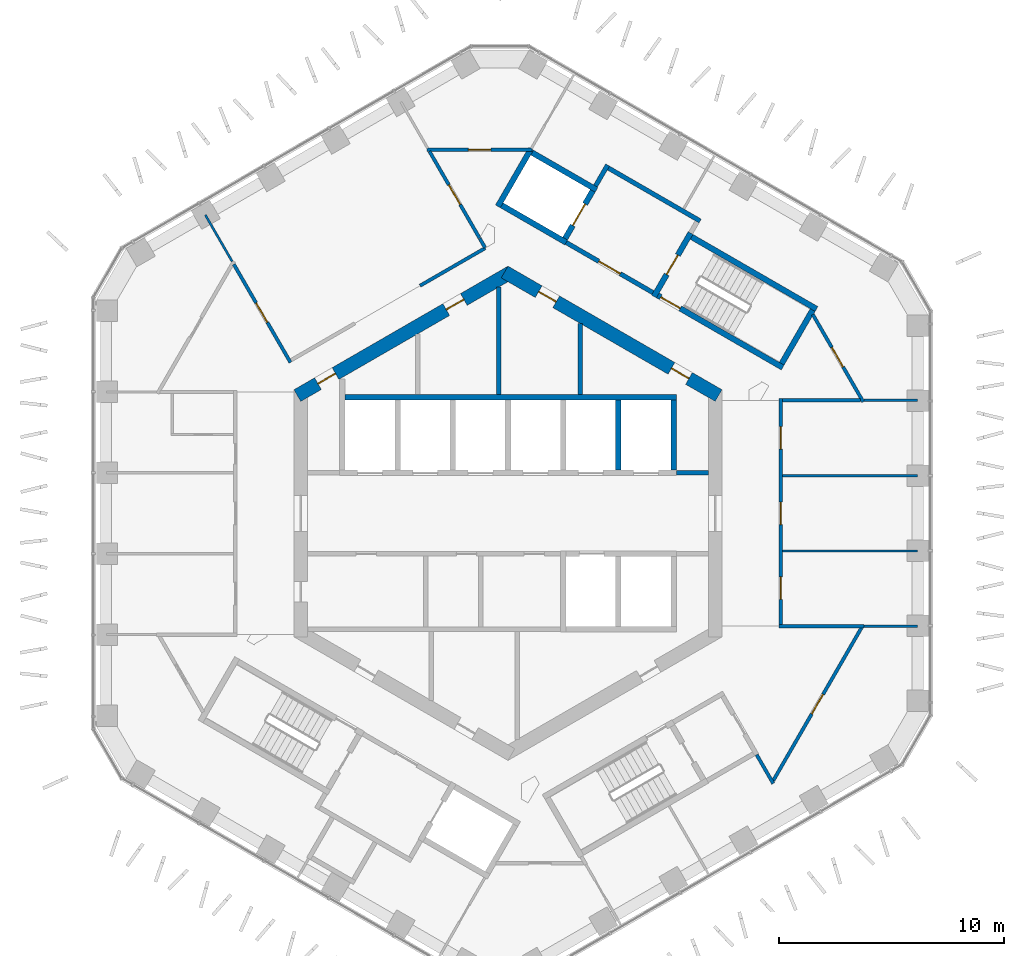
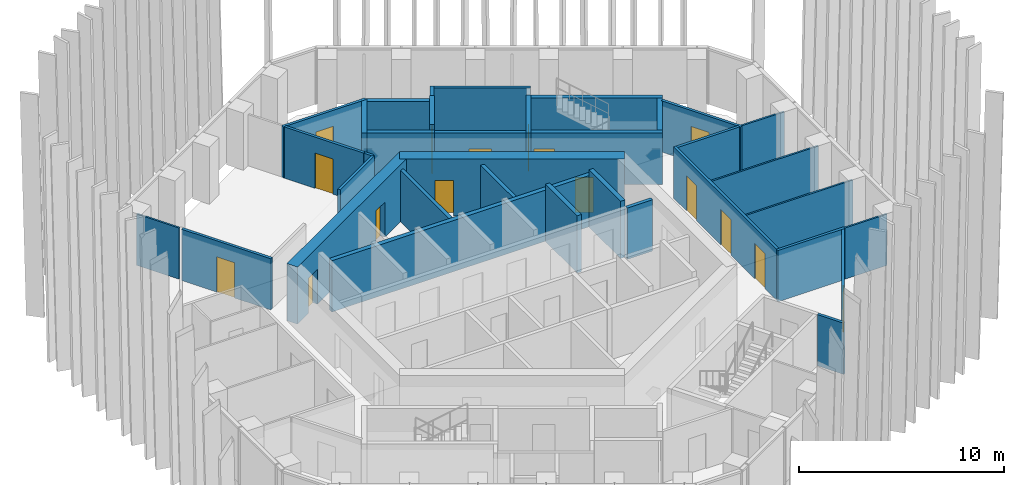
# One storey, part 15 of 21: 35 walls, 16 doors, 16 openings.
"""IFC4 building model written with IfcOpenShell, lengths in metres."""

from ifc_helpers import new_model, si_unit, direction, frame, frame_2d, origin, place, context, subcontext, project, spatial, rectangle, extrude, material, layer, layer_set, type_object, element, fill, save


model = new_model("IFC4")

# Units and contexts
model_context = context("Model", 3, precision=1e-05, world=origin(), true_north=direction((0.0, 1.0)))
body_context = subcontext(model_context, "Body", "Model", "MODEL_VIEW")
ifc_project = project(units=[si_unit("LENGTHUNIT", "METRE"), si_unit("AREAUNIT", "SQUARE_METRE"), si_unit("VOLUMEUNIT", "CUBIC_METRE"), si_unit("PLANEANGLEUNIT", "RADIAN"), si_unit("MASSUNIT", "GRAM", prefix="KILO")], contexts=[model_context])

# Site, building, storey
site_placement = place(None, origin())
site = spatial("IfcSite", under=ifc_project, at=site_placement, CompositionType="ELEMENT")
building_placement = place(site_placement, origin())
building = spatial("IfcBuilding", under=site, at=building_placement, Name="Ayvan Gate Tower", CompositionType="ELEMENT")
storey_placement = place(building_placement, frame((0.0, 0.0, 173.10009765625)))
storey = spatial("IfcBuildingStorey", under=building, at=storey_placement, Name="L46", CompositionType="ELEMENT", Elevation=173.10009765625)

# Wall, openings, doors
ifc_material_1 = material(Name="Concrete C60/75", Category="concrete")
ifc_layer_1 = layer(ifc_material_1, 0.60009765625)
ifc_layer_set_1 = layer_set([ifc_layer_1], Name="Concrete C60/75")
wall_type_1 = type_object("IfcWallType", Name="Core wall 600 C60/75", PredefinedType="SHEAR", material=ifc_layer_set_1)
wall_1_placement = place(storey_placement, frame((9.35009765625, 5.22509765625, 0.0), z_axis=(0.0, 0.0, 1.0), x_axis=(-0.866023993627, 0.500002442456, 0.0)))
wall_1 = element("IfcWall", 1, at=wall_1_placement, inside=storey, type_object=wall_type_1, Name="CORE-L46-1", PredefinedType="SHEAR", context=body_context, shape_type="SweptSolid", body=[
    extrude(rectangle(XDim=10.9697265625, YDim=0.60009765625, at=frame_2d((5.48486328125, 0.0))), origin(), (0.0, 0.0, 1.0), 3.39990234375),
])
opening_1_placement = place(wall_1_placement, frame((8.3251953125, 0.0, 0.0)))
opening_1 = element("IfcOpeningElement", 2, at=opening_1_placement, cuts=wall_1, Name="Opening L46-D42", PredefinedType="OPENING", context=body_context, shape_type="SweptSolid", body=[
    extrude(rectangle(XDim=0.89990234375, YDim=2.10009765625, at=frame_2d((0.449951171875, 1.050048828125))), frame((0.0, 0.31005859375, 0.0), z_axis=(0.0, -1.0, 0.0), x_axis=(1.0, 0.0, 0.0)), (0.0, 0.0, 1.0), 0.6201171875),
])
opening_2_placement = place(wall_1_placement, frame((1.518310546875, 0.0, 0.0)))
opening_2 = element("IfcOpeningElement", 3, at=opening_2_placement, cuts=wall_1, Name="Opening L46-D43", PredefinedType="OPENING", context=body_context, shape_type="SweptSolid", body=[
    extrude(rectangle(XDim=0.89990234375, YDim=2.10009765625, at=frame_2d((0.449951171875, 1.050048828125))), frame((0.0, 0.31005859375, 0.0), z_axis=(0.0, -1.0, 0.0), x_axis=(1.0, 0.0, 0.0)), (0.0, 0.0, 1.0), 0.6201171875),
])
ifc_material_2 = material(Name="Timber door leaf", Category="wood")
door_type_1 = type_object("IfcDoorType", Name="DT-900", OperationType="NOTDEFINED", PredefinedType="DOOR", material=ifc_material_2)
door_1_placement = place(opening_1_placement, origin())
door_1 = element("IfcDoor", 4, at=door_1_placement, inside=storey, type_object=door_type_1, Name="CD-L46-42", OperationType="SINGLE_SWING_RIGHT", OverallHeight=2.10009765625, OverallWidth=0.89990234375, PredefinedType="DOOR", context=body_context, shape_type="SweptSolid", body=[
    extrude(rectangle(XDim=0.89990234375, YDim=2.10009765625, at=frame_2d((0.449951171875, 1.050048828125))), frame((0.0, 0.02490234375, 0.0), z_axis=(0.0, -1.0, 0.0), x_axis=(1.0, 0.0, 0.0)), (0.0, 0.0, 1.0), 0.050048828125),
])
fill(opening_1, door_1)
door_2_placement = place(opening_2_placement, origin())
door_2 = element("IfcDoor", 5, at=door_2_placement, inside=storey, type_object=door_type_1, Name="CD-L46-43", OperationType="SINGLE_SWING_LEFT", OverallHeight=2.10009765625, OverallWidth=0.89990234375, PredefinedType="DOOR", context=body_context, shape_type="SweptSolid", body=[
    extrude(rectangle(XDim=0.89990234375, YDim=2.10009765625, at=frame_2d((0.449951171875, 1.050048828125))), frame((0.0, 0.02490234375, 0.0), z_axis=(0.0, -1.0, 0.0), x_axis=(1.0, 0.0, 0.0)), (0.0, 0.0, 1.0), 0.050048828125),
])
fill(opening_2, door_2)

wall_2_placement = place(storey_placement, frame((0.14990234375, 10.7099609375, 0.0), z_axis=(0.0, 0.0, 1.0), x_axis=(-0.866023993627, -0.500002442456, 0.0)))
wall_2 = element("IfcWall", 6, at=wall_2_placement, inside=storey, type_object=wall_type_1, Name="CORE-L46-2", PredefinedType="SHEAR", context=body_context, shape_type="SweptSolid", body=[
    extrude(rectangle(XDim=10.9697265625, YDim=0.60009765625, at=frame_2d((5.48486328125, 0.0))), origin(), (0.0, 0.0, 1.0), 3.39990234375),
])
opening_3_placement = place(wall_2_placement, frame((9.013427734375, 0.0, 0.0)))
opening_3 = element("IfcOpeningElement", 7, at=opening_3_placement, cuts=wall_2, Name="Opening L46-D40", PredefinedType="OPENING", context=body_context, shape_type="SweptSolid", body=[
    extrude(rectangle(XDim=0.89990234375, YDim=2.10009765625, at=frame_2d((0.449951171875, 1.050048828125))), frame((0.0, 0.31005859375, 0.0), z_axis=(0.0, -1.0, 0.0), x_axis=(1.0, 0.0, 0.0)), (0.0, 0.0, 1.0), 0.6201171875),
])
opening_4_placement = place(wall_2_placement, frame((2.437255859375, 0.0, 0.0)))
opening_4 = element("IfcOpeningElement", 8, at=opening_4_placement, cuts=wall_2, Name="Opening L46-D41", PredefinedType="OPENING", context=body_context, shape_type="SweptSolid", body=[
    extrude(rectangle(XDim=0.89990234375, YDim=2.10009765625, at=frame_2d((0.449951171875, 1.050048828125))), frame((0.0, 0.31005859375, 0.0), z_axis=(0.0, -1.0, 0.0), x_axis=(1.0, 0.0, 0.0)), (0.0, 0.0, 1.0), 0.6201171875),
])
door_3_placement = place(opening_3_placement, origin())
door_3 = element("IfcDoor", 9, at=door_3_placement, inside=storey, type_object=door_type_1, Name="CD-L46-40", OperationType="SINGLE_SWING_RIGHT", OverallHeight=2.10009765625, OverallWidth=0.89990234375, PredefinedType="DOOR", context=body_context, shape_type="SweptSolid", body=[
    extrude(rectangle(XDim=0.89990234375, YDim=2.10009765625, at=frame_2d((0.449951171875, 1.050048828125))), frame((0.0, 0.02490234375, 0.0), z_axis=(0.0, -1.0, 0.0), x_axis=(1.0, 0.0, 0.0)), (0.0, 0.0, 1.0), 0.050048828125),
])
fill(opening_3, door_3)
door_4_placement = place(opening_4_placement, origin())
door_4 = element("IfcDoor", 10, at=door_4_placement, inside=storey, type_object=door_type_1, Name="CD-L46-41", OperationType="SINGLE_SWING_LEFT", OverallHeight=2.10009765625, OverallWidth=0.89990234375, PredefinedType="DOOR", context=body_context, shape_type="SweptSolid", body=[
    extrude(rectangle(XDim=0.89990234375, YDim=2.10009765625, at=frame_2d((0.449951171875, 1.050048828125))), frame((0.0, 0.02490234375, 0.0), z_axis=(0.0, -1.0, 0.0), x_axis=(1.0, 0.0, 0.0)), (0.0, 0.0, 1.0), 0.050048828125),
])
fill(opening_4, door_4)

# Wall, opening, door
ifc_material_3 = material(Name="Plasterboard on steel stud", Category="steel")
ifc_layer_2 = layer(ifc_material_3, 0.14990234375)
ifc_layer_set_2 = layer_set([ifc_layer_2], Name="Plasterboard on steel stud")
wall_type_2 = type_object("IfcWallType", Name="WT-CORR-150", PredefinedType="PARTITIONING", material=ifc_layer_set_2)
wall_3_placement = place(storey_placement, frame((-12.170166015625, 11.05126953125, 0.0), z_axis=(0.0, 0.0, 1.0), x_axis=(0.500006713398, -0.866021527768, 0.0)))
wall_3 = element("IfcWall", 11, at=wall_3_placement, inside=storey, type_object=wall_type_2, Name="IW-L46-009", PredefinedType="PARTITIONING", context=body_context, shape_type="SweptSolid", body=[
    extrude(rectangle(XDim=5.03076171875, YDim=0.14990234375, at=frame_2d((2.515380859375, 0.0))), origin(), (0.0, 0.0, 1.0), 3.0498046875),
])
opening_5_placement = place(wall_3_placement, frame((1.977783203125, 0.0, 0.0)))
opening_5 = element("IfcOpeningElement", 12, at=opening_5_placement, cuts=wall_3, Name="Opening L46-D39", PredefinedType="OPENING", context=body_context, shape_type="SweptSolid", body=[
    extrude(rectangle(XDim=1.0, YDim=2.10009765625, at=frame_2d((0.5, 1.050048828125))), frame((0.0, 0.0849609375, 0.0), z_axis=(0.0, -1.0, 0.0), x_axis=(1.0, 0.0, 0.0)), (0.0, 0.0, 1.0), 0.169921875),
])
door_type_2 = type_object("IfcDoorType", Name="DT-1000", OperationType="NOTDEFINED", PredefinedType="DOOR", material=ifc_material_2)
door_5_placement = place(opening_5_placement, origin())
door_5 = element("IfcDoor", 13, at=door_5_placement, inside=storey, type_object=door_type_2, Name="ID-L46-039", OperationType="SINGLE_SWING_LEFT", OverallHeight=2.10009765625, OverallWidth=1.0, PredefinedType="DOOR", context=body_context, shape_type="SweptSolid", body=[
    extrude(rectangle(XDim=1.0, YDim=2.10009765625, at=frame_2d((0.5, 1.050048828125))), frame((0.0, 0.02490234375, 0.0), z_axis=(0.0, -1.0, 0.0), x_axis=(1.0, 0.0, 0.0)), (0.0, 0.0, 1.0), 0.050048828125),
])
fill(opening_5, door_5)

# Wall
wall_4_placement = place(storey_placement, frame((-3.902587890625, 10.10205078125, 0.0), z_axis=(0.0, 0.0, 1.0), x_axis=(0.866000720478, 0.500042750305, 0.0)))
element("IfcWall", 14, at=wall_4_placement, inside=storey, type_object=wall_type_2, Name="IW-L46-032", PredefinedType="PARTITIONING", context=body_context, shape_type="SweptSolid", body=[
    extrude(rectangle(XDim=3.343017578125, YDim=0.14990234375, at=frame_2d((1.67138671875, 0.0))), origin(), (0.0, 0.0, 1.0), 3.0498046875),
])

# Wall, opening, door
wall_5_placement = place(storey_placement, frame((-3.59814453125, 16.13037109375, 0.0), z_axis=(0.0, 0.0, 1.0), x_axis=(1.0, 0.0, 0.0)))
wall_5 = element("IfcWall", 15, at=wall_5_placement, inside=storey, type_object=wall_type_2, Name="IW-L46-037", PredefinedType="PARTITIONING", context=body_context, shape_type="SweptSolid", body=[
    extrude(rectangle(XDim=4.672119140625, YDim=0.14990234375, at=frame_2d((2.3359375, 0.0))), origin(), (0.0, 0.0, 1.0), 3.0498046875),
])
opening_6_placement = place(wall_5_placement, frame((1.8359375, 0.0, 0.0)))
opening_6 = element("IfcOpeningElement", 16, at=opening_6_placement, cuts=wall_5, Name="Opening L46-D26", PredefinedType="OPENING", context=body_context, shape_type="SweptSolid", body=[
    extrude(rectangle(XDim=1.0, YDim=2.10009765625, at=frame_2d((0.5, 1.050048828125))), frame((0.0, 0.0849609375, 0.0), z_axis=(0.0, -1.0, 0.0), x_axis=(1.0, 0.0, 0.0)), (0.0, 0.0, 1.0), 0.169921875),
])
door_6_placement = place(opening_6_placement, origin())
door_6 = element("IfcDoor", 17, at=door_6_placement, inside=storey, type_object=door_type_2, Name="ID-L46-026", OperationType="SINGLE_SWING_RIGHT", OverallHeight=2.10009765625, OverallWidth=1.0, PredefinedType="DOOR", context=body_context, shape_type="SweptSolid", body=[
    extrude(rectangle(XDim=1.0, YDim=2.10009765625, at=frame_2d((0.5, 1.050048828125))), frame((0.0, 0.02490234375, 0.0), z_axis=(0.0, -1.0, 0.0), x_axis=(1.0, 0.0, 0.0)), (0.0, 0.0, 1.0), 0.050048828125),
])
fill(opening_6, door_6)

wall_6_placement = place(storey_placement, frame((-1.261962890625, 12.214111328125, 0.0), z_axis=(0.0, 0.0, 1.0), x_axis=(-0.500012331591, 0.86601828402, 0.0)))
wall_6 = element("IfcWall", 18, at=wall_6_placement, inside=storey, type_object=wall_type_2, Name="IW-L46-043", PredefinedType="PARTITIONING", context=body_context, shape_type="SweptSolid", body=[
    extrude(rectangle(XDim=4.447265625, YDim=0.14990234375, at=frame_2d((2.2236328125, 0.0))), origin(), (0.0, 0.0, 1.0), 3.0498046875),
])
opening_7_placement = place(wall_6_placement, frame((1.723388671875, 0.0, 0.0)))
opening_7 = element("IfcOpeningElement", 19, at=opening_7_placement, cuts=wall_6, Name="Opening L46-D38", PredefinedType="OPENING", context=body_context, shape_type="SweptSolid", body=[
    extrude(rectangle(XDim=1.0, YDim=2.10009765625, at=frame_2d((0.5, 1.050048828125))), frame((0.0, 0.0849609375, 0.0), z_axis=(0.0, -1.0, 0.0), x_axis=(1.0, 0.0, 0.0)), (0.0, 0.0, 1.0), 0.169921875),
])
door_7_placement = place(opening_7_placement, origin())
door_7 = element("IfcDoor", 20, at=door_7_placement, inside=storey, type_object=door_type_2, Name="ID-L46-038", OperationType="SINGLE_SWING_RIGHT", OverallHeight=2.10009765625, OverallWidth=1.0, PredefinedType="DOOR", context=body_context, shape_type="SweptSolid", body=[
    extrude(rectangle(XDim=1.0, YDim=2.10009765625, at=frame_2d((0.5, 1.050048828125))), frame((0.0, 0.02490234375, 0.0), z_axis=(0.0, -1.0, 0.0), x_axis=(1.0, 0.0, 0.0)), (0.0, 0.0, 1.0), 0.050048828125),
])
fill(opening_7, door_7)

# Walls
wall_7_placement = place(storey_placement, frame((-1.251953125, 12.19677734375, 0.0), z_axis=(0.0, 0.0, 1.0), x_axis=(0.499947857008, -0.866055506462, 0.0)))
element("IfcWall", 21, at=wall_7_placement, inside=storey, type_object=wall_type_2, Name="IW-L46-044", PredefinedType="PARTITIONING", context=body_context, shape_type="SweptSolid", body=[
    extrude(rectangle(XDim=0.46875, YDim=0.14990234375, at=frame_2d((0.234375, 0.0))), origin(), (0.0, 0.0, 1.0), 3.0498046875),
])
wall_8_placement = place(storey_placement, frame((11.775146484375, -11.995361328125, 0.0), z_axis=(0.0, 0.0, 1.0), x_axis=(-0.499875190247, 0.866097450739, 0.0)))
element("IfcWall", 22, at=wall_8_placement, inside=storey, type_object=wall_type_2, Name="IW-L46-086", PredefinedType="PARTITIONING", context=body_context, shape_type="SweptSolid", body=[
    extrude(rectangle(XDim=1.47607421875, YDim=0.14990234375, at=frame_2d((0.738037109375, 0.0))), origin(), (0.0, 0.0, 1.0), 3.0498046875),
])
wall_9_placement = place(storey_placement, frame((12.02490234375, -5.01416015625, 0.0), z_axis=(0.0, 0.0, 1.0), x_axis=(1.0, 0.0, 0.0)))
element("IfcWall", 23, at=wall_9_placement, inside=storey, type_object=wall_type_2, Name="IW-L46-088", PredefinedType="PARTITIONING", context=body_context, shape_type="SweptSolid", body=[
    extrude(rectangle(XDim=3.781005859375, YDim=0.14990234375, at=frame_2d((1.890625, 0.0))), origin(), (0.0, 0.0, 1.0), 3.0498046875),
])

# Wall, openings, doors
wall_10_placement = place(storey_placement, frame((12.10009765625, -4.939208984375, 0.0), z_axis=(0.0, 0.0, 1.0), x_axis=(0.0, 1.0, 0.0)))
wall_10 = element("IfcWall", 24, at=wall_10_placement, inside=storey, type_object=wall_type_2, Name="IW-L46-090", PredefinedType="PARTITIONING", context=body_context, shape_type="SweptSolid", body=[
    extrude(rectangle(XDim=10.0283203125, YDim=0.14990234375, at=frame_2d((5.01416015625, 0.0))), origin(), (0.0, 0.0, 1.0), 3.0498046875),
])
opening_8_placement = place(wall_10_placement, frame((1.118896484375, 0.0, 0.0)))
opening_8 = element("IfcOpeningElement", 25, at=opening_8_placement, cuts=wall_10, Name="Opening L46-D22", PredefinedType="OPENING", context=body_context, shape_type="SweptSolid", body=[
    extrude(rectangle(XDim=1.0, YDim=2.10009765625, at=frame_2d((0.5, 1.050048828125))), frame((0.0, 0.0849609375, 0.0), z_axis=(0.0, -1.0, 0.0), x_axis=(1.0, 0.0, 0.0)), (0.0, 0.0, 1.0), 0.169921875),
])
opening_9_placement = place(wall_10_placement, frame((4.439208984375, 0.0, 0.0)))
opening_9 = element("IfcOpeningElement", 26, at=opening_9_placement, cuts=wall_10, Name="Opening L46-D23", PredefinedType="OPENING", context=body_context, shape_type="SweptSolid", body=[
    extrude(rectangle(XDim=1.0, YDim=2.10009765625, at=frame_2d((0.5, 1.050048828125))), frame((0.0, 0.0849609375, 0.0), z_axis=(0.0, -1.0, 0.0), x_axis=(1.0, 0.0, 0.0)), (0.0, 0.0, 1.0), 0.169921875),
])
opening_10_placement = place(wall_10_placement, frame((7.78173828125, 0.0, 0.0)))
opening_10 = element("IfcOpeningElement", 27, at=opening_10_placement, cuts=wall_10, Name="Opening L46-D24", PredefinedType="OPENING", context=body_context, shape_type="SweptSolid", body=[
    extrude(rectangle(XDim=1.0, YDim=2.10009765625, at=frame_2d((0.5, 1.050048828125))), frame((0.0, 0.0849609375, 0.0), z_axis=(0.0, -1.0, 0.0), x_axis=(1.0, 0.0, 0.0)), (0.0, 0.0, 1.0), 0.169921875),
])
door_8_placement = place(opening_8_placement, origin())
door_8 = element("IfcDoor", 28, at=door_8_placement, inside=storey, type_object=door_type_2, Name="ID-L46-022", OperationType="SINGLE_SWING_RIGHT", OverallHeight=2.10009765625, OverallWidth=1.0, PredefinedType="DOOR", context=body_context, shape_type="SweptSolid", body=[
    extrude(rectangle(XDim=1.0, YDim=2.10009765625, at=frame_2d((0.5, 1.050048828125))), frame((0.0, 0.02490234375, 0.0), z_axis=(0.0, -1.0, 0.0), x_axis=(1.0, 0.0, 0.0)), (0.0, 0.0, 1.0), 0.050048828125),
])
fill(opening_8, door_8)
door_9_placement = place(opening_9_placement, origin())
door_9 = element("IfcDoor", 29, at=door_9_placement, inside=storey, type_object=door_type_2, Name="ID-L46-023", OperationType="SINGLE_SWING_LEFT", OverallHeight=2.10009765625, OverallWidth=1.0, PredefinedType="DOOR", context=body_context, shape_type="SweptSolid", body=[
    extrude(rectangle(XDim=1.0, YDim=2.10009765625, at=frame_2d((0.5, 1.050048828125))), frame((0.0, 0.02490234375, 0.0), z_axis=(0.0, -1.0, 0.0), x_axis=(1.0, 0.0, 0.0)), (0.0, 0.0, 1.0), 0.050048828125),
])
fill(opening_9, door_9)
door_10_placement = place(opening_10_placement, origin())
door_10 = element("IfcDoor", 30, at=door_10_placement, inside=storey, type_object=door_type_2, Name="ID-L46-024", OperationType="SINGLE_SWING_RIGHT", OverallHeight=2.10009765625, OverallWidth=1.0, PredefinedType="DOOR", context=body_context, shape_type="SweptSolid", body=[
    extrude(rectangle(XDim=1.0, YDim=2.10009765625, at=frame_2d((0.5, 1.050048828125))), frame((0.0, 0.02490234375, 0.0), z_axis=(0.0, -1.0, 0.0), x_axis=(1.0, 0.0, 0.0)), (0.0, 0.0, 1.0), 0.050048828125),
])
fill(opening_10, door_10)

# Wall, opening, door
wall_11_placement = place(storey_placement, frame((13.5322265625, 8.822021484375, 0.0), z_axis=(0.0, 0.0, 1.0), x_axis=(0.500020172634, -0.866013756796, 0.0)))
wall_11 = element("IfcWall", 31, at=wall_11_placement, inside=storey, type_object=wall_type_2, Name="IW-L46-092", PredefinedType="PARTITIONING", context=body_context, shape_type="SweptSolid", body=[
    extrude(rectangle(XDim=4.471923828125, YDim=0.14990234375, at=frame_2d((2.23583984375, 0.0))), origin(), (0.0, 0.0, 1.0), 3.0498046875),
])
opening_11_placement = place(wall_11_placement, frame((1.68115234375, 0.0, 0.0)))
opening_11 = element("IfcOpeningElement", 32, at=opening_11_placement, cuts=wall_11, Name="Opening L46-D25", PredefinedType="OPENING", context=body_context, shape_type="SweptSolid", body=[
    extrude(rectangle(XDim=1.0, YDim=2.10009765625, at=frame_2d((0.5, 1.050048828125))), frame((0.0, 0.0849609375, 0.0), z_axis=(0.0, -1.0, 0.0), x_axis=(1.0, 0.0, 0.0)), (0.0, 0.0, 1.0), 0.169921875),
])
door_11_placement = place(opening_11_placement, origin())
door_11 = element("IfcDoor", 33, at=door_11_placement, inside=storey, type_object=door_type_2, Name="ID-L46-025", OperationType="SINGLE_SWING_LEFT", OverallHeight=2.10009765625, OverallWidth=1.0, PredefinedType="DOOR", context=body_context, shape_type="SweptSolid", body=[
    extrude(rectangle(XDim=1.0, YDim=2.10009765625, at=frame_2d((0.5, 1.050048828125))), frame((0.0, 0.02490234375, 0.0), z_axis=(0.0, -1.0, 0.0), x_axis=(1.0, 0.0, 0.0)), (0.0, 0.0, 1.0), 0.050048828125),
])
fill(opening_11, door_11)

# Wall
wall_12_placement = place(storey_placement, frame((15.65576171875, 5.01416015625, 0.0), z_axis=(0.0, 0.0, 1.0), x_axis=(-1.0, 0.0, 0.0)))
element("IfcWall", 34, at=wall_12_placement, inside=storey, type_object=wall_type_2, Name="IW-L46-094", PredefinedType="PARTITIONING", context=body_context, shape_type="SweptSolid", body=[
    extrude(rectangle(XDim=3.48095703125, YDim=0.14990234375, at=frame_2d((1.740478515625, 0.0))), origin(), (0.0, 0.0, 1.0), 3.0498046875),
])

# Wall, opening, door
wall_13_placement = place(storey_placement, frame((15.693359375, -5.0791015625, 0.0), z_axis=(0.0, 0.0, 1.0), x_axis=(-0.500009219579, -0.866020080793, 0.0)))
wall_13 = element("IfcWall", 35, at=wall_13_placement, inside=storey, type_object=wall_type_2, Name="IW-L46-096", PredefinedType="PARTITIONING", context=body_context, shape_type="SweptSolid", body=[
    extrude(rectangle(XDim=7.836181640625, YDim=0.14990234375, at=frame_2d((3.91796875, 0.0))), origin(), (0.0, 0.0, 1.0), 3.0498046875),
])
opening_12_placement = place(wall_13_placement, frame((3.418212890625, 0.0, 0.0)))
opening_12 = element("IfcOpeningElement", 36, at=opening_12_placement, cuts=wall_13, Name="Opening L46-D37", PredefinedType="OPENING", context=body_context, shape_type="SweptSolid", body=[
    extrude(rectangle(XDim=1.0, YDim=2.10009765625, at=frame_2d((0.5, 1.050048828125))), frame((0.0, 0.0849609375, 0.0), z_axis=(0.0, -1.0, 0.0), x_axis=(1.0, 0.0, 0.0)), (0.0, 0.0, 1.0), 0.169921875),
])
door_12_placement = place(opening_12_placement, origin())
door_12 = element("IfcDoor", 37, at=door_12_placement, inside=storey, type_object=door_type_2, Name="ID-L46-037", OperationType="SINGLE_SWING_LEFT", OverallHeight=2.10009765625, OverallWidth=1.0, PredefinedType="DOOR", context=body_context, shape_type="SweptSolid", body=[
    extrude(rectangle(XDim=1.0, YDim=2.10009765625, at=frame_2d((0.5, 1.050048828125))), frame((0.0, 0.02490234375, 0.0), z_axis=(0.0, -1.0, 0.0), x_axis=(1.0, 0.0, 0.0)), (0.0, 0.0, 1.0), 0.050048828125),
])
fill(opening_12, door_12)

# Walls
ifc_layer_3 = layer(ifc_material_3, 0.10009765625)
ifc_layer_set_3 = layer_set([ifc_layer_3], Name="Plasterboard on steel stud")
wall_type_3 = type_object("IfcWallType", Name="WT-PART-100", PredefinedType="PARTITIONING", material=ifc_layer_set_3)
wall_14_placement = place(storey_placement, frame((-13.435546875, 13.242919921875, 0.0), z_axis=(0.0, 0.0, 1.0), x_axis=(0.500021302286, -0.866013104554, 0.0)))
element("IfcWall", 38, at=wall_14_placement, inside=storey, type_object=wall_type_3, Name="IW-L46-008", PredefinedType="PARTITIONING", context=body_context, shape_type="SweptSolid", body=[
    extrude(rectangle(XDim=2.380859375, YDim=0.10009765625, at=frame_2d((1.1904296875, 0.0))), origin(), (0.0, 0.0, 1.0), 3.0498046875),
])
for number, where, z_axis, x_axis, name in (
    (39, (12.175048828125, -1.67138671875, 0.0), (0.0, 0.0, 1.0), (1.0, 0.0, 0.0), "IW-L46-089"),
    (40, (12.175048828125, 1.67138671875, 0.0), (0.0, 0.0, 1.0), (1.0, 0.0, 0.0), "IW-L46-091"),
):
    element("IfcWall", number, at=place(storey_placement, frame(where, z_axis=z_axis, x_axis=x_axis)), inside=storey, type_object=wall_type_3, Name=name, PredefinedType="PARTITIONING", context=body_context, shape_type="SweptSolid", body=[
        extrude(rectangle(XDim=6.011474609375, YDim=0.10009765625, at=frame_2d((3.005859375, 0.0))), origin(), (0.0, 0.0, 1.0), 3.0498046875),
    ])
wall_15_placement = place(storey_placement, frame((15.805908203125, 5.01416015625, 0.0), z_axis=(0.0, 0.0, 1.0), x_axis=(1.0, 0.0, 0.0)))
element("IfcWall", 41, at=wall_15_placement, inside=storey, type_object=wall_type_3, Name="IW-L46-095", PredefinedType="PARTITIONING", context=body_context, shape_type="SweptSolid", body=[
    extrude(rectangle(XDim=2.380615234375, YDim=0.10009765625, at=frame_2d((1.1904296875, 0.0))), origin(), (0.0, 0.0, 1.0), 3.0498046875),
])
wall_16_placement = place(storey_placement, frame((18.1865234375, -5.01416015625, 0.0), z_axis=(0.0, 0.0, 1.0), x_axis=(-1.0, 0.0, 0.0)))
element("IfcWall", 42, at=wall_16_placement, inside=storey, type_object=wall_type_3, Name="IW-L46-097", PredefinedType="PARTITIONING", context=body_context, shape_type="SweptSolid", body=[
    extrude(rectangle(XDim=2.380859375, YDim=0.10009765625, at=frame_2d((1.1904296875, 0.0))), origin(), (0.0, 0.0, 1.0), 3.0498046875),
])
ifc_layer_4 = layer(ifc_material_3, 0.199951171875)
ifc_layer_set_4 = layer_set([ifc_layer_4], Name="Plasterboard on steel stud")
wall_type_4 = type_object("IfcWallType", Name="WT-RATED-200", PredefinedType="PARTITIONING", material=ifc_layer_set_4)
wall_17_placement = place(storey_placement, frame((-0.39990234375, 10.0458984375, 0.0), z_axis=(0.0, 0.0, 1.0), x_axis=(0.0, -1.0, 0.0)))
element("IfcWall", 43, at=wall_17_placement, inside=storey, type_object=wall_type_4, Name="IW-L46-048", PredefinedType="PARTITIONING", context=body_context, shape_type="SweptSolid", body=[
    extrude(rectangle(XDim=4.77099609375, YDim=0.199951171875, at=frame_2d((2.385498046875, 0.0))), origin(), (0.0, 0.0, 1.0), 3.0498046875),
])
wall_18_placement = place(storey_placement, frame((3.199951171875, 8.42919921875, 0.0), z_axis=(0.0, 0.0, 1.0), x_axis=(0.0, -1.0, 0.0)))
element("IfcWall", 44, at=wall_18_placement, inside=storey, type_object=wall_type_4, Name="IW-L46-062", PredefinedType="PARTITIONING", context=body_context, shape_type="SweptSolid", body=[
    extrude(rectangle(XDim=3.154296875, YDim=0.199951171875, at=frame_2d((1.5771484375, 0.0))), origin(), (0.0, 0.0, 1.0), 3.0498046875),
])
wall_19_placement = place(storey_placement, frame((3.885009765625, 14.52880859375, 0.0), z_axis=(0.0, 0.0, 1.0), x_axis=(0.499997628298, 0.866026773083, 0.0)))
element("IfcWall", 45, at=wall_19_placement, inside=storey, type_object=wall_type_4, Name="IW-L46-065", PredefinedType="PARTITIONING", context=body_context, shape_type="SweptSolid", body=[
    extrude(rectangle(XDim=1.0751953125, YDim=0.199951171875, at=frame_2d((0.53759765625, 0.0))), origin(), (0.0, 0.0, 1.0), 3.0498046875),
])
wall_20_placement = place(storey_placement, frame((4.458984375, 15.323486328125, 0.0), z_axis=(0.0, 0.0, 1.0), x_axis=(0.866016039709, -0.500016218704, 0.0)))
element("IfcWall", 46, at=wall_20_placement, inside=storey, type_object=wall_type_4, Name="IW-L46-066", PredefinedType="PARTITIONING", context=body_context, shape_type="SweptSolid", body=[
    extrude(rectangle(XDim=4.699951171875, YDim=0.199951171875, at=frame_2d((2.35009765625, 0.0))), origin(), (0.0, 0.0, 1.0), 3.0498046875),
])

# Wall, opening, door
wall_21_placement = place(storey_placement, frame((6.4345703125, 9.794921875, 0.0), z_axis=(0.0, 0.0, 1.0), x_axis=(-0.866012907634, 0.500021643343, 0.0)))
wall_21 = element("IfcWall", 47, at=wall_21_placement, inside=storey, type_object=wall_type_4, Name="IW-L46-071", PredefinedType="PARTITIONING", context=body_context, shape_type="SweptSolid", body=[
    extrude(rectangle(XDim=4.449951171875, YDim=0.199951171875, at=frame_2d((2.22509765625, 0.0))), origin(), (0.0, 0.0, 1.0), 3.0498046875),
])
opening_13_placement = place(wall_21_placement, frame((1.675048828125, 0.0, 0.0)))
opening_13 = element("IfcOpeningElement", 48, at=opening_13_placement, cuts=wall_21, Name="Opening L46-D13", PredefinedType="OPENING", context=body_context, shape_type="SweptSolid", body=[
    extrude(rectangle(XDim=1.10009765625, YDim=2.10009765625, at=frame_2d((0.550048828125, 1.050048828125))), frame((0.0, 0.10986328125, 0.0), z_axis=(0.0, -1.0, 0.0), x_axis=(1.0, 0.0, 0.0)), (0.0, 0.0, 1.0), 0.219970703125),
])
door_type_3 = type_object("IfcDoorType", Name="DT-1100", OperationType="NOTDEFINED", PredefinedType="DOOR", material=ifc_material_2)
door_13_placement = place(opening_13_placement, origin())
door_13 = element("IfcDoor", 49, at=door_13_placement, inside=storey, type_object=door_type_3, Name="ID-L46-013", OperationType="SINGLE_SWING_LEFT", OverallHeight=2.10009765625, OverallWidth=1.10009765625, PredefinedType="DOOR", context=body_context, shape_type="SweptSolid", body=[
    extrude(rectangle(XDim=1.10009765625, YDim=2.10009765625, at=frame_2d((0.550048828125, 1.050048828125))), frame((0.0, 0.02490234375, 0.0), z_axis=(0.0, -1.0, 0.0), x_axis=(1.0, 0.0, 0.0)), (0.0, 0.0, 1.0), 0.050048828125),
])
fill(opening_13, door_13)

# Walls
wall_22_placement = place(storey_placement, frame((7.474853515625, 1.800048828125, 0.0), z_axis=(0.0, 0.0, 1.0), x_axis=(1.0, 0.0, 0.0)))
element("IfcWall", 50, at=wall_22_placement, inside=storey, type_object=wall_type_4, Name="IW-L46-077", PredefinedType="PARTITIONING", context=body_context, shape_type="SweptSolid", body=[
    extrude(rectangle(XDim=1.425048828125, YDim=0.199951171875, at=frame_2d((0.71240234375, 0.0))), origin(), (0.0, 0.0, 1.0), 3.0498046875),
])
ifc_material_4 = material(Name="Concrete C50/60", Category="concrete")
ifc_layer_5 = layer(ifc_material_4, 0.25)
ifc_layer_set_5 = layer_set([ifc_layer_5], Name="Concrete C50/60")
wall_type_5 = type_object("IfcWallType", Name="WT-RC-250", PredefinedType="SHEAR", material=ifc_layer_set_5)
wall_23_placement = place(storey_placement, frame((-7.22509765625, 5.14990234375, 0.0), z_axis=(0.0, 0.0, 1.0), x_axis=(1.0, 0.0, 0.0)))
element("IfcWall", 51, at=wall_23_placement, inside=storey, type_object=wall_type_5, Name="IW-L46-025", PredefinedType="SHEAR", context=body_context, shape_type="SweptSolid", body=[
    extrude(rectangle(XDim=14.7001953125, YDim=0.25, at=frame_2d((7.35009765625, 0.0))), origin(), (0.0, 0.0, 1.0), 3.0498046875),
])
wall_24_placement = place(storey_placement, frame((-0.447998046875, 13.624267578125, 0.0), z_axis=(0.0, 0.0, 1.0), x_axis=(0.500037662692, 0.866003658127, 0.0)))
element("IfcWall", 52, at=wall_24_placement, inside=storey, type_object=wall_type_5, Name="IW-L46-049", PredefinedType="SHEAR", context=body_context, shape_type="SweptSolid", body=[
    extrude(rectangle(XDim=2.949951171875, YDim=0.25, at=frame_2d((1.47509765625, 0.0))), origin(), (0.0, 0.0, 1.0), 3.0498046875),
])
for number, where, z_axis, x_axis, name in (
    (53, (1.072998046875, 16.00830078125, 0.0), (0.0, 0.0, 1.0), (0.866040211805, -0.499974350878, 0.0), "IW-L46-052"),
    (54, (2.580810546875, 12.02001953125, 0.0), (0.0, 0.0, 1.0), (-0.866040211805, 0.499974350878, 0.0), "IW-L46-057"),
):
    element("IfcWall", number, at=place(storey_placement, frame(where, z_axis=z_axis, x_axis=x_axis)), inside=storey, type_object=wall_type_5, Name=name, PredefinedType="SHEAR", context=body_context, shape_type="SweptSolid", body=[
        extrude(rectangle(XDim=3.300048828125, YDim=0.25, at=frame_2d((1.64990234375, 0.0))), origin(), (0.0, 0.0, 1.0), 3.0498046875),
    ])

# Wall, opening, door
wall_25_placement = place(storey_placement, frame((2.534912109375, 12.19091796875, 0.0), z_axis=(0.0, 0.0, 1.0), x_axis=(0.500061746146, 0.865989751695, 0.0)))
wall_25 = element("IfcWall", 55, at=wall_25_placement, inside=storey, type_object=wall_type_5, Name="IW-L46-058", PredefinedType="SHEAR", context=body_context, shape_type="SweptSolid", body=[
    extrude(rectangle(XDim=2.449951171875, YDim=0.25, at=frame_2d((1.22509765625, 0.0))), origin(), (0.0, 0.0, 1.0), 3.39990234375),
])
opening_14_placement = place(wall_25_placement, frame((0.675048828125, 0.0, 0.0)))
opening_14 = element("IfcOpeningElement", 56, at=opening_14_placement, cuts=wall_25, Name="Opening L46-LD-FF1", PredefinedType="OPENING", context=body_context, shape_type="SweptSolid", body=[
    extrude(rectangle(XDim=1.10009765625, YDim=2.10009765625, at=frame_2d((0.550048828125, 1.050048828125))), frame((0.0, 0.135009765625, 0.0), z_axis=(0.0, -1.0, 0.0), x_axis=(1.0, 0.0, 0.0)), (0.0, 0.0, 1.0), 0.27001953125),
])
ifc_material_5 = material(Name="Stainless steel landing door", Category="steel")
door_type_4 = type_object("IfcDoorType", Name="DT-LANDING-1100", OperationType="SLIDING_TO_LEFT", PredefinedType="DOOR", material=ifc_material_5)
door_14_placement = place(opening_14_placement, origin())
door_14 = element("IfcDoor", 57, at=door_14_placement, inside=storey, type_object=door_type_4, Name="ID-L46-014", OperationType="SLIDING_TO_LEFT", OverallHeight=2.10009765625, OverallWidth=1.10009765625, PredefinedType="DOOR", context=body_context, shape_type="SweptSolid", body=[
    extrude(rectangle(XDim=1.10009765625, YDim=2.10009765625, at=frame_2d((0.550048828125, 1.050048828125))), frame((0.0, 0.02490234375, 0.0), z_axis=(0.0, -1.0, 0.0), x_axis=(1.0, 0.0, 0.0)), (0.0, 0.0, 1.0), 0.050048828125),
])
fill(opening_14, door_14)

# Wall
wall_26_placement = place(storey_placement, frame((4.89990234375, 5.02490234375, 0.0), z_axis=(0.0, 0.0, 1.0), x_axis=(0.0, -1.0, 0.0)))
element("IfcWall", 58, at=wall_26_placement, inside=storey, type_object=wall_type_5, Name="IW-L46-069", PredefinedType="SHEAR", context=body_context, shape_type="SweptSolid", body=[
    extrude(rectangle(XDim=3.099853515625, YDim=0.25, at=frame_2d((1.5498046875, 0.0))), origin(), (0.0, 0.0, 1.0), 3.39990234375),
])

# Wall, opening, door
wall_27_placement = place(storey_placement, frame((6.480224609375, 9.624267578125, 0.0), z_axis=(0.0, 0.0, 1.0), x_axis=(0.500017246033, 0.866015446554, 0.0)))
wall_27 = element("IfcWall", 59, at=wall_27_placement, inside=storey, type_object=wall_type_5, Name="IW-L46-072", PredefinedType="SHEAR", context=body_context, shape_type="SweptSolid", body=[
    extrude(rectangle(XDim=3.25, YDim=0.25, at=frame_2d((1.625, 0.0))), origin(), (0.0, 0.0, 1.0), 3.0498046875),
])
opening_15_placement = place(wall_27_placement, frame((1.125, 0.0, 0.0)))
opening_15 = element("IfcOpeningElement", 60, at=opening_15_placement, cuts=wall_27, Name="Opening L46-D12", PredefinedType="OPENING", context=body_context, shape_type="SweptSolid", body=[
    extrude(rectangle(XDim=1.0, YDim=2.10009765625, at=frame_2d((0.5, 1.050048828125))), frame((0.0, 0.135009765625, 0.0), z_axis=(0.0, -1.0, 0.0), x_axis=(1.0, 0.0, 0.0)), (0.0, 0.0, 1.0), 0.27001953125),
])
door_15_placement = place(opening_15_placement, origin())
door_15 = element("IfcDoor", 61, at=door_15_placement, inside=storey, type_object=door_type_2, Name="ID-L46-012", OperationType="SINGLE_SWING_RIGHT", OverallHeight=2.10009765625, OverallWidth=1.0, PredefinedType="DOOR", context=body_context, shape_type="SweptSolid", body=[
    extrude(rectangle(XDim=1.0, YDim=2.10009765625, at=frame_2d((0.5, 1.050048828125))), frame((0.0, 0.02490234375, 0.0), z_axis=(0.0, -1.0, 0.0), x_axis=(1.0, 0.0, 0.0)), (0.0, 0.0, 1.0), 0.050048828125),
])
fill(opening_15, door_15)

# Walls
wall_28_placement = place(storey_placement, frame((7.35009765625, 5.02490234375, 0.0), z_axis=(0.0, 0.0, 1.0), x_axis=(0.0, -1.0, 0.0)))
element("IfcWall", 62, at=wall_28_placement, inside=storey, type_object=wall_type_5, Name="IW-L46-079", PredefinedType="SHEAR", context=body_context, shape_type="SweptSolid", body=[
    extrude(rectangle(XDim=3.099853515625, YDim=0.25, at=frame_2d((1.5498046875, 0.0))), origin(), (0.0, 0.0, 1.0), 3.39990234375),
])
wall_29_placement = place(storey_placement, frame((8.151123046875, 12.26806640625, 0.0), z_axis=(0.0, 0.0, 1.0), x_axis=(0.866025499775, -0.499999833739, 0.0)))
element("IfcWall", 63, at=wall_29_placement, inside=storey, type_object=wall_type_5, Name="IW-L46-081", PredefinedType="SHEAR", context=body_context, shape_type="SweptSolid", body=[
    extrude(rectangle(XDim=6.39990234375, YDim=0.25, at=frame_2d((3.199951171875, 0.0))), origin(), (0.0, 0.0, 1.0), 3.0498046875),
])

# Wall, opening, door
wall_30_placement = place(storey_placement, frame((12.193603515625, 6.469970703125, 0.0), z_axis=(0.0, 0.0, 1.0), x_axis=(-0.866025499775, 0.499999833739, 0.0)))
wall_30 = element("IfcWall", 64, at=wall_30_placement, inside=storey, type_object=wall_type_5, Name="IW-L46-087", PredefinedType="SHEAR", context=body_context, shape_type="SweptSolid", body=[
    extrude(rectangle(XDim=6.39990234375, YDim=0.25, at=frame_2d((3.199951171875, 0.0))), origin(), (0.0, 0.0, 1.0), 3.0498046875),
])
opening_16_placement = place(wall_30_placement, frame((5.25, 0.0, 0.0)))
opening_16 = element("IfcOpeningElement", 65, at=opening_16_placement, cuts=wall_30, Name="Opening L46-D11", PredefinedType="OPENING", context=body_context, shape_type="SweptSolid", body=[
    extrude(rectangle(XDim=1.0, YDim=2.10009765625, at=frame_2d((0.5, 1.050048828125))), frame((0.0, 0.135009765625, 0.0), z_axis=(0.0, -1.0, 0.0), x_axis=(1.0, 0.0, 0.0)), (0.0, 0.0, 1.0), 0.27001953125),
])
door_16_placement = place(opening_16_placement, origin())
door_16 = element("IfcDoor", 66, at=door_16_placement, inside=storey, type_object=door_type_2, Name="ID-L46-011", OperationType="SINGLE_SWING_LEFT", OverallHeight=2.10009765625, OverallWidth=1.0, PredefinedType="DOOR", context=body_context, shape_type="SweptSolid", body=[
    extrude(rectangle(XDim=1.0, YDim=2.10009765625, at=frame_2d((0.5, 1.050048828125))), frame((0.0, 0.02490234375, 0.0), z_axis=(0.0, -1.0, 0.0), x_axis=(1.0, 0.0, 0.0)), (0.0, 0.0, 1.0), 0.050048828125),
])
fill(opening_16, door_16)

# Wall
wall_31_placement = place(storey_placement, frame((12.14794921875, 6.640869140625, 0.0), z_axis=(0.0, 0.0, 1.0), x_axis=(0.500034990121, 0.866005201286, 0.0)))
element("IfcWall", 67, at=wall_31_placement, inside=storey, type_object=wall_type_5, Name="IW-L46-093", PredefinedType="SHEAR", context=body_context, shape_type="SweptSolid", body=[
    extrude(rectangle(XDim=2.749755859375, YDim=0.25, at=frame_2d((1.375, 0.0))), origin(), (0.0, 0.0, 1.0), 3.0498046875),
])

save(model, "model.ifc")
